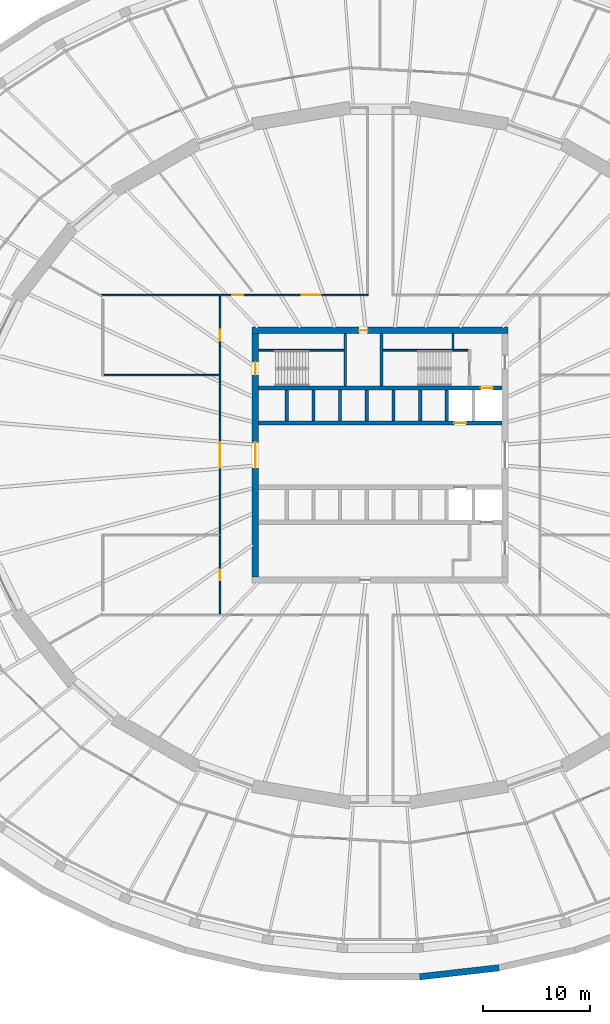
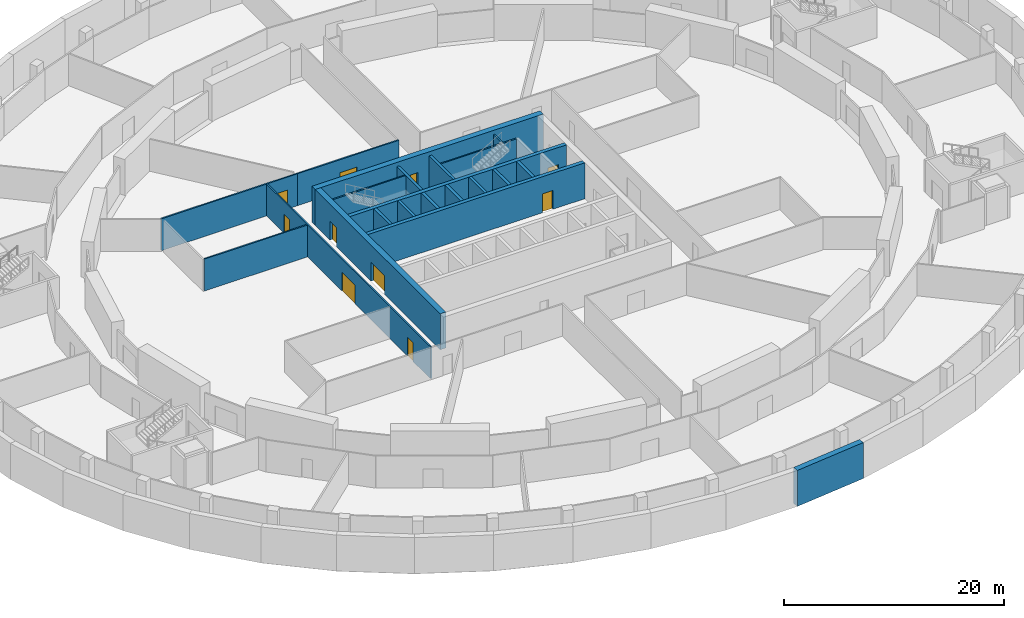
# One storey, part 7 of 14: 21 walls, 10 doors, 10 openings.
"""IFC4 building model written with IfcOpenShell, lengths in metres."""

from ifc_helpers import new_model, si_unit, direction, frame, frame_2d, origin, place, context, subcontext, project, spatial, rectangle, extrude, material, layer, layer_set, type_object, element, fill, save


model = new_model("IFC4")

# Units and contexts
model_context = context("Model", 3, precision=1e-05, world=origin(), true_north=direction((0.0, 1.0)))
body_context = subcontext(model_context, "Body", "Model", "MODEL_VIEW")
ifc_project = project(units=[si_unit("LENGTHUNIT", "METRE"), si_unit("AREAUNIT", "SQUARE_METRE"), si_unit("VOLUMEUNIT", "CUBIC_METRE"), si_unit("PLANEANGLEUNIT", "RADIAN"), si_unit("MASSUNIT", "GRAM", prefix="KILO")], contexts=[model_context])

# Site, building, storey
site_placement = place(None, origin())
site = spatial("IfcSite", under=ifc_project, at=site_placement, CompositionType="ELEMENT")
building_placement = place(site_placement, origin())
building = spatial("IfcBuilding", under=site, at=building_placement, Name="Halqa Exchange Tower", CompositionType="ELEMENT")
storey_placement = place(building_placement, frame((0.0, 0.0, -4.0)))
storey = spatial("IfcBuildingStorey", under=building, at=storey_placement, Name="B1", CompositionType="ELEMENT", Elevation=-4.0)

# Wall, opening, door
ifc_material_1 = material(Name="Fire-rated gypsum board")
ifc_layer_1 = layer(ifc_material_1, 0.14990234375)
ifc_layer_set_1 = layer_set([ifc_layer_1], Name="Fire-rated gypsum board")
wall_type_1 = type_object("IfcWallType", Name="Fire partition EI 60 150", PredefinedType="PARTITIONING", material=ifc_layer_set_1)
wall_1_placement = place(storey_placement, frame((-26.1298828125, 15.0, 0.0), z_axis=(0.0, 0.0, 1.0), x_axis=(1.0, 0.0, 0.0)))
wall_1 = element("IfcWall", 1, at=wall_1_placement, inside=storey, type_object=wall_type_1, Name="B1-PWL-044", PredefinedType="PARTITIONING", context=body_context, shape_type="SweptSolid", body=[
    extrude(rectangle(XDim=14.31982421875, YDim=0.14990234375, at=frame_2d((7.159912109375, 0.0))), origin(), (0.0, 0.0, 1.0), 3.550048828125),
])
opening_1_placement = place(wall_1_placement, frame((12.280029296875, 0.0, 0.0)))
opening_1 = element("IfcOpeningElement", 2, at=opening_1_placement, cuts=wall_1, Name="Opening B1-11", PredefinedType="OPENING", context=body_context, shape_type="SweptSolid", body=[
    extrude(rectangle(XDim=1.0, YDim=2.10009765625, at=frame_2d((0.5, 1.050048828125))), frame((0.0, 0.0869140625, 0.0), z_axis=(0.0, -1.0, 0.0), x_axis=(1.0, 0.0, 0.0)), (0.0, 0.0, 1.0), 0.173828125),
])
ifc_material_2 = material(Name="Steel fire door leaf", Category="steel")
door_type_1 = type_object("IfcDoorType", Name="Fire door FD30S 1000 x 2100", OperationType="SINGLE_SWING_LEFT", PredefinedType="DOOR", material=ifc_material_2)
door_1_placement = place(opening_1_placement, frame((1.0, 0.0, 0.0), z_axis=(0.0, 0.0, 1.0), x_axis=(-1.0, 0.0, 0.0)))
door_1 = element("IfcDoor", 3, at=door_1_placement, inside=storey, type_object=door_type_1, Name="B1-IDR-011", OperationType="SINGLE_SWING_LEFT", OverallHeight=2.10009765625, OverallWidth=1.0, PredefinedType="DOOR", context=body_context, shape_type="SweptSolid", body=[
    extrude(rectangle(XDim=1.0, YDim=2.10009765625, at=frame_2d((0.5, 1.050048828125))), frame((0.0, 0.02490234375, 0.0), z_axis=(0.0, -1.0, 0.0), x_axis=(1.0, 0.0, 0.0)), (0.0, 0.0, 1.0), 0.050048828125),
])
fill(opening_1, door_1)

# Wall, openings, doors
wall_2_placement = place(storey_placement, frame((-15.0, -14.925048828125, 0.0), z_axis=(0.0, 0.0, 1.0), x_axis=(0.0, 1.0, 0.0)))
wall_2 = element("IfcWall", 4, at=wall_2_placement, inside=storey, type_object=wall_type_1, Name="B1-PWL-058", PredefinedType="PARTITIONING", context=body_context, shape_type="SweptSolid", body=[
    extrude(rectangle(XDim=29.85009765625, YDim=0.14990234375, at=frame_2d((14.925048828125, 0.0))), origin(), (0.0, 0.0, 1.0), 3.550048828125),
])
opening_2_placement = place(wall_2_placement, frame((25.659912109375, 0.0, 0.0)))
opening_2 = element("IfcOpeningElement", 5, at=opening_2_placement, cuts=wall_2, Name="Opening B1-03", PredefinedType="OPENING", context=body_context, shape_type="SweptSolid", body=[
    extrude(rectangle(XDim=1.0, YDim=2.10009765625, at=frame_2d((0.5, 1.050048828125))), frame((0.0, 0.0869140625, 0.0), z_axis=(0.0, -1.0, 0.0), x_axis=(1.0, 0.0, 0.0)), (0.0, 0.0, 1.0), 0.173828125),
])
opening_3_placement = place(wall_2_placement, frame((3.18994140625, 0.0, 0.0)))
opening_3 = element("IfcOpeningElement", 6, at=opening_3_placement, cuts=wall_2, Name="Opening B1-04", PredefinedType="OPENING", context=body_context, shape_type="SweptSolid", body=[
    extrude(rectangle(XDim=1.0, YDim=2.10009765625, at=frame_2d((0.5, 1.050048828125))), frame((0.0, 0.0869140625, 0.0), z_axis=(0.0, -1.0, 0.0), x_axis=(1.0, 0.0, 0.0)), (0.0, 0.0, 1.0), 0.173828125),
])
opening_4_placement = place(wall_2_placement, frame((13.72509765625, 0.0, 0.0)))
opening_4 = element("IfcOpeningElement", 7, at=opening_4_placement, cuts=wall_2, Name="Opening B1-12", PredefinedType="OPENING", context=body_context, shape_type="SweptSolid", body=[
    extrude(rectangle(XDim=2.39990234375, YDim=2.10009765625, at=frame_2d((1.199951171875, 1.050048828125))), frame((0.0, 0.0869140625, 0.0), z_axis=(0.0, -1.0, 0.0), x_axis=(1.0, 0.0, 0.0)), (0.0, 0.0, 1.0), 0.173828125),
])
door_2_placement = place(opening_2_placement, frame((1.0, 0.0, 0.0), z_axis=(0.0, 0.0, 1.0), x_axis=(-1.0, 0.0, 0.0)))
door_2 = element("IfcDoor", 8, at=door_2_placement, inside=storey, type_object=door_type_1, Name="B1-IDR-003", OperationType="SINGLE_SWING_RIGHT", OverallHeight=2.10009765625, OverallWidth=1.0, PredefinedType="DOOR", context=body_context, shape_type="SweptSolid", body=[
    extrude(rectangle(XDim=1.0, YDim=2.10009765625, at=frame_2d((0.5, 1.050048828125))), frame((0.0, 0.02490234375, 0.0), z_axis=(0.0, -1.0, 0.0), x_axis=(1.0, 0.0, 0.0)), (0.0, 0.0, 1.0), 0.050048828125),
])
fill(opening_2, door_2)
door_3_placement = place(opening_3_placement, frame((1.0, 0.0, 0.0), z_axis=(0.0, 0.0, 1.0), x_axis=(-1.0, 0.0, 0.0)))
door_3 = element("IfcDoor", 9, at=door_3_placement, inside=storey, type_object=door_type_1, Name="B1-IDR-004", OperationType="SINGLE_SWING_LEFT", OverallHeight=2.10009765625, OverallWidth=1.0, PredefinedType="DOOR", context=body_context, shape_type="SweptSolid", body=[
    extrude(rectangle(XDim=1.0, YDim=2.10009765625, at=frame_2d((0.5, 1.050048828125))), frame((0.0, 0.02490234375, 0.0), z_axis=(0.0, -1.0, 0.0), x_axis=(1.0, 0.0, 0.0)), (0.0, 0.0, 1.0), 0.050048828125),
])
fill(opening_3, door_3)
door_type_2 = type_object("IfcDoorType", Name="Fire door FD60S double 2400 x 2100", OperationType="DOUBLE_DOOR_SINGLE_SWING", PredefinedType="DOOR", material=ifc_material_2)
door_4_placement = place(opening_4_placement, frame((2.39990234375, 0.0, 0.0), z_axis=(0.0, 0.0, 1.0), x_axis=(-1.0, 0.0, 0.0)))
door_4 = element("IfcDoor", 10, at=door_4_placement, inside=storey, type_object=door_type_2, Name="B1-IDR-012", OperationType="DOUBLE_DOOR_SINGLE_SWING", OverallHeight=2.10009765625, OverallWidth=2.39990234375, PredefinedType="DOOR", context=body_context, shape_type="SweptSolid", body=[
    extrude(rectangle(XDim=2.39990234375, YDim=2.10009765625, at=frame_2d((1.199951171875, 1.050048828125))), frame((0.0, 0.02490234375, 0.0), z_axis=(0.0, -1.0, 0.0), x_axis=(1.0, 0.0, 0.0)), (0.0, 0.0, 1.0), 0.050048828125),
])
fill(opening_4, door_4)

# Wall
wall_3_placement = place(storey_placement, frame((-15.074951171875, 7.5, 0.0), z_axis=(0.0, 0.0, 1.0), x_axis=(-1.0, 0.0, 0.0)))
element("IfcWall", 11, at=wall_3_placement, inside=storey, type_object=wall_type_1, Name="B1-PWL-059", PredefinedType="PARTITIONING", context=body_context, shape_type="SweptSolid", body=[
    extrude(rectangle(XDim=10.85107421875, YDim=0.14990234375, at=frame_2d((5.425537109375, 0.0))), origin(), (0.0, 0.0, 1.0), 3.550048828125),
])

# Wall, opening, door
wall_4_placement = place(storey_placement, frame((-11.810546875, 15.0, 0.0), z_axis=(0.0, 0.0, 1.0), x_axis=(1.0, 0.0, 0.0)))
wall_4 = element("IfcWall", 12, at=wall_4_placement, inside=storey, type_object=wall_type_1, Name="B1-PWL-062", PredefinedType="PARTITIONING", context=body_context, shape_type="SweptSolid", body=[
    extrude(rectangle(XDim=10.685546875, YDim=0.14990234375, at=frame_2d((5.3427734375, 0.0))), origin(), (0.0, 0.0, 1.0), 3.550048828125),
])
opening_5_placement = place(wall_4_placement, frame((4.44140625, 0.0, 0.0)))
opening_5 = element("IfcOpeningElement", 13, at=opening_5_placement, cuts=wall_4, Name="Opening B1-10", PredefinedType="OPENING", context=body_context, shape_type="SweptSolid", body=[
    extrude(rectangle(XDim=1.800048828125, YDim=2.10009765625, at=frame_2d((0.89990234375, 1.050048828125))), frame((0.0, 0.0869140625, 0.0), z_axis=(0.0, -1.0, 0.0), x_axis=(1.0, 0.0, 0.0)), (0.0, 0.0, 1.0), 0.173828125),
])
door_type_3 = type_object("IfcDoorType", Name="Fire door FD30S double 1800 x 2100", OperationType="DOUBLE_DOOR_SINGLE_SWING", PredefinedType="DOOR", material=ifc_material_2)
door_5_placement = place(opening_5_placement, frame((1.800048828125, 0.0, 0.0), z_axis=(0.0, 0.0, 1.0), x_axis=(-1.0, 0.0, 0.0)))
door_5 = element("IfcDoor", 14, at=door_5_placement, inside=storey, type_object=door_type_3, Name="B1-IDR-010", OperationType="DOUBLE_DOOR_SINGLE_SWING", OverallHeight=2.10009765625, OverallWidth=1.800048828125, PredefinedType="DOOR", context=body_context, shape_type="SweptSolid", body=[
    extrude(rectangle(XDim=1.800048828125, YDim=2.10009765625, at=frame_2d((0.89990234375, 1.050048828125))), frame((0.0, 0.02490234375, 0.0), z_axis=(0.0, -1.0, 0.0), x_axis=(1.0, 0.0, 0.0)), (0.0, 0.0, 1.0), 0.050048828125),
])
fill(opening_5, door_5)

# Walls
ifc_material_3 = material(Name="Gypsum board")
ifc_layer_2 = layer(ifc_material_3, 0.14990234375)
ifc_layer_set_2 = layer_set([ifc_layer_2], Name="Gypsum board")
wall_type_2 = type_object("IfcWallType", Name="Penthouse riser wall 150 gypsum", PredefinedType="PARTITIONING", material=ifc_layer_set_2)
wall_5_placement = place(storey_placement, frame((6.824951171875, 9.89990234375, 0.0), z_axis=(0.0, 0.0, 1.0), x_axis=(0.0, 1.0, 0.0)))
element("IfcWall", 15, at=wall_5_placement, inside=storey, type_object=wall_type_2, Name="Firefighting lobby west wall N", PredefinedType="PARTITIONING", context=body_context, shape_type="SweptSolid", body=[
    extrude(rectangle(XDim=1.5, YDim=0.14990234375, at=frame_2d((0.75, 0.0))), origin(), (0.0, 0.0, 1.0), 3.550048828125),
])
ifc_material_4 = material(Name="Concrete C40/50", Category="concrete")
ifc_layer_3 = layer(ifc_material_4, 0.60009765625)
ifc_layer_set_3 = layer_set([ifc_layer_3], Name="Concrete C40/50")
wall_type_3 = type_object("IfcWallType", Name="RC basement wall 600", PredefinedType="SOLIDWALL", material=ifc_layer_set_3)
wall_6_placement = place(storey_placement, frame((3.711181640625, -48.89697265625, 0.0), z_axis=(0.0, 0.0, 1.0), x_axis=(0.993658203282, 0.112442763445, 0.0)))
element("IfcWall", 16, at=wall_6_placement, inside=storey, type_object=wall_type_3, Name="Basement retaining wall", PredefinedType="SOLIDWALL", context=body_context, shape_type="SweptSolid", body=[
    extrude(rectangle(XDim=7.473388671875, YDim=0.60009765625, at=frame_2d((3.73681640625, 0.0))), origin(), (0.0, 0.0, 1.0), 4.0),
])
ifc_material_5 = material(Name="Concrete C60/75", Category="concrete")
ifc_layer_4 = layer(ifc_material_5, 0.300048828125)
ifc_layer_set_4 = layer_set([ifc_layer_4], Name="Concrete C60/75")
wall_type_4 = type_object("IfcWallType", Name="RC core wall 300", PredefinedType="SHEAR", material=ifc_layer_set_4)
for number, where, z_axis, x_axis, name in (
    (17, (-8.75, 3.199951171875, 0.0), (0.0, 0.0, 1.0), (0.0, 1.0, 0.0), "Shaft divider N1"),
    (18, (-6.25, 3.199951171875, 0.0), (0.0, 0.0, 1.0), (0.0, 1.0, 0.0), "Shaft divider N2"),
    (19, (-3.75, 3.199951171875, 0.0), (0.0, 0.0, 1.0), (0.0, 1.0, 0.0), "Shaft divider N3"),
    (20, (-1.25, 3.199951171875, 0.0), (0.0, 0.0, 1.0), (0.0, 1.0, 0.0), "Shaft divider N4"),
    (21, (1.25, 3.199951171875, 0.0), (0.0, 0.0, 1.0), (0.0, 1.0, 0.0), "Shaft divider N5"),
    (22, (3.75, 3.199951171875, 0.0), (0.0, 0.0, 1.0), (0.0, 1.0, 0.0), "Shaft divider N6"),
    (23, (6.25, 3.199951171875, 0.0), (0.0, 0.0, 1.0), (0.0, 1.0, 0.0), "Shaft divider N7"),
):
    element("IfcWall", number, at=place(storey_placement, frame(where, z_axis=z_axis, x_axis=x_axis)), inside=storey, type_object=wall_type_4, Name=name, PredefinedType="SHEAR", context=body_context, shape_type="SweptSolid", body=[
        extrude(rectangle(XDim=2.900146484375, YDim=0.300048828125, at=frame_2d((1.4501953125, 0.0))), origin(), (0.0, 0.0, 1.0), 4.0),
    ])

# Wall, opening, door
ifc_material_6 = material(Name="Concrete C80/95", Category="concrete")
ifc_layer_5 = layer(ifc_material_6, 0.39990234375)
ifc_layer_set_5 = layer_set([ifc_layer_5], Name="Concrete C80/95")
wall_type_5 = type_object("IfcWallType", Name="RC core wall 400 C80/95", PredefinedType="SHEAR", material=ifc_layer_set_5)
wall_7_placement = place(storey_placement, frame((-11.39990234375, 3.0, 0.0), z_axis=(0.0, 0.0, 1.0), x_axis=(1.0, 0.0, 0.0)))
wall_7 = element("IfcWall", 24, at=wall_7_placement, inside=storey, type_object=wall_type_5, Name="Lift row front wall N", PredefinedType="SHEAR", context=body_context, shape_type="SweptSolid", body=[
    extrude(rectangle(XDim=22.7998046875, YDim=0.39990234375, at=frame_2d((11.39990234375, 0.0))), origin(), (0.0, 0.0, 1.0), 4.0),
])
opening_6_placement = place(wall_7_placement, frame((18.35009765625, 0.0, 0.0)))
opening_6 = element("IfcOpeningElement", 25, at=opening_6_placement, cuts=wall_7, Name="Opening LD-SV1-B1", PredefinedType="OPENING", context=body_context, shape_type="SweptSolid", body=[
    extrude(rectangle(XDim=1.10009765625, YDim=2.10009765625, at=frame_2d((0.550048828125, 1.050048828125))), frame((0.0, 0.2119140625, 0.0), z_axis=(0.0, -1.0, 0.0), x_axis=(1.0, 0.0, 0.0)), (0.0, 0.0, 1.0), 0.423828125),
])
ifc_material_7 = material(Name="Stainless steel", Category="steel")
door_type_4 = type_object("IfcDoorType", Name="Lift landing door 1100 x 2100", OperationType="SLIDING_TO_LEFT", PredefinedType="DOOR", material=ifc_material_7)
door_6_placement = place(opening_6_placement, origin())
door_6 = element("IfcDoor", 26, at=door_6_placement, inside=storey, type_object=door_type_4, Name="Lift landing door SV1", OperationType="SLIDING_TO_LEFT", OverallHeight=2.10009765625, OverallWidth=1.10009765625, PredefinedType="DOOR", context=body_context, shape_type="SweptSolid", body=[
    extrude(rectangle(XDim=1.10009765625, YDim=2.10009765625, at=frame_2d((0.550048828125, 1.050048828125))), frame((0.0, 0.02490234375, 0.0), z_axis=(0.0, -1.0, 0.0), x_axis=(1.0, 0.0, 0.0)), (0.0, 0.0, 1.0), 0.050048828125),
])
fill(opening_6, door_6)

wall_8_placement = place(storey_placement, frame((-11.39990234375, 6.300048828125, 0.0), z_axis=(0.0, 0.0, 1.0), x_axis=(1.0, 0.0, 0.0)))
wall_8 = element("IfcWall", 27, at=wall_8_placement, inside=storey, type_object=wall_type_5, Name="Lift row back wall N", PredefinedType="SHEAR", context=body_context, shape_type="SweptSolid", body=[
    extrude(rectangle(XDim=22.7998046875, YDim=0.39990234375, at=frame_2d((11.39990234375, 0.0))), origin(), (0.0, 0.0, 1.0), 4.0),
])
opening_7_placement = place(wall_8_placement, frame((20.85009765625, 0.0, 0.0)))
opening_7 = element("IfcOpeningElement", 28, at=opening_7_placement, cuts=wall_8, Name="Opening LD-FF1-B1", PredefinedType="OPENING", context=body_context, shape_type="SweptSolid", body=[
    extrude(rectangle(XDim=1.10009765625, YDim=2.10009765625, at=frame_2d((0.550048828125, 1.050048828125))), frame((0.0, 0.2119140625, 0.0), z_axis=(0.0, -1.0, 0.0), x_axis=(1.0, 0.0, 0.0)), (0.0, 0.0, 1.0), 0.423828125),
])
door_7_placement = place(opening_7_placement, origin())
door_7 = element("IfcDoor", 29, at=door_7_placement, inside=storey, type_object=door_type_4, Name="Lift landing door FF1", OperationType="SLIDING_TO_LEFT", OverallHeight=2.10009765625, OverallWidth=1.10009765625, PredefinedType="DOOR", context=body_context, shape_type="SweptSolid", body=[
    extrude(rectangle(XDim=1.10009765625, YDim=2.10009765625, at=frame_2d((0.550048828125, 1.050048828125))), frame((0.0, 0.02490234375, 0.0), z_axis=(0.0, -1.0, 0.0), x_axis=(1.0, 0.0, 0.0)), (0.0, 0.0, 1.0), 0.050048828125),
])
fill(opening_7, door_7)

ifc_layer_6 = layer(ifc_material_6, 0.60009765625)
ifc_layer_set_6 = layer_set([ifc_layer_6], Name="Concrete C80/95")
wall_type_6 = type_object("IfcWallType", Name="RC core wall 600 C80/95", PredefinedType="SHEAR", material=ifc_layer_set_6)
wall_9_placement = place(storey_placement, frame((-12.0, 11.699951171875, 0.0), z_axis=(0.0, 0.0, 1.0), x_axis=(1.0, 0.0, 0.0)))
wall_9 = element("IfcWall", 30, at=wall_9_placement, inside=storey, type_object=wall_type_6, Name="Core wall north", PredefinedType="SHEAR", context=body_context, shape_type="SweptSolid", body=[
    extrude(rectangle(XDim=24.0, YDim=0.60009765625, at=frame_2d((12.0, 0.0))), origin(), (0.0, 0.0, 1.0), 4.0),
])
opening_8_placement = place(wall_9_placement, frame((10.02490234375, 0.0, 0.0)))
opening_8 = element("IfcOpeningElement", 31, at=opening_8_placement, cuts=wall_9, Name="Opening B1-C19", PredefinedType="OPENING", context=body_context, shape_type="SweptSolid", body=[
    extrude(rectangle(XDim=0.800048828125, YDim=2.10009765625, at=frame_2d((0.39990234375, 1.050048828125))), frame((0.0, 0.31201171875, 0.0), z_axis=(0.0, -1.0, 0.0), x_axis=(1.0, 0.0, 0.0)), (0.0, 0.0, 1.0), 0.6240234375),
])
door_type_5 = type_object("IfcDoorType", Name="Riser door FD60 800 x 2100", OperationType="SINGLE_SWING_LEFT", PredefinedType="DOOR", material=ifc_material_2)
door_8_placement = place(opening_8_placement, frame((0.800048828125, 0.0, 0.0), z_axis=(0.0, 0.0, 1.0), x_axis=(-1.0, 0.0, 0.0)))
door_8 = element("IfcDoor", 32, at=door_8_placement, inside=storey, type_object=door_type_5, Name="Core room door", OperationType="SINGLE_SWING_LEFT", OverallHeight=2.10009765625, OverallWidth=0.800048828125, PredefinedType="DOOR", context=body_context, shape_type="SweptSolid", body=[
    extrude(rectangle(XDim=0.800048828125, YDim=2.10009765625, at=frame_2d((0.39990234375, 1.050048828125))), frame((0.0, 0.02490234375, 0.0), z_axis=(0.0, -1.0, 0.0), x_axis=(1.0, 0.0, 0.0)), (0.0, 0.0, 1.0), 0.050048828125),
])
fill(opening_8, door_8)

# Wall, openings, doors
wall_10_placement = place(storey_placement, frame((-11.699951171875, -11.39990234375, 0.0), z_axis=(0.0, 0.0, 1.0), x_axis=(0.0, 1.0, 0.0)))
wall_10 = element("IfcWall", 33, at=wall_10_placement, inside=storey, type_object=wall_type_6, Name="Core wall west", PredefinedType="SHEAR", context=body_context, shape_type="SweptSolid", body=[
    extrude(rectangle(XDim=22.7998046875, YDim=0.60009765625, at=frame_2d((11.39990234375, 0.0))), origin(), (0.0, 0.0, 1.0), 4.0),
])
opening_9_placement = place(wall_10_placement, frame((10.199951171875, 0.0, 0.0)))
opening_9 = element("IfcOpeningElement", 34, at=opening_9_placement, cuts=wall_10, Name="Opening B1-C05", PredefinedType="OPENING", context=body_context, shape_type="SweptSolid", body=[
    extrude(rectangle(XDim=2.39990234375, YDim=2.10009765625, at=frame_2d((1.199951171875, 1.050048828125))), frame((0.0, 0.31201171875, 0.0), z_axis=(0.0, -1.0, 0.0), x_axis=(1.0, 0.0, 0.0)), (0.0, 0.0, 1.0), 0.6240234375),
])
opening_10_placement = place(wall_10_placement, frame((18.925048828125, 0.0, 0.0)))
opening_10 = element("IfcOpeningElement", 35, at=opening_10_placement, cuts=wall_10, Name="Opening B1-C15", PredefinedType="OPENING", context=body_context, shape_type="SweptSolid", body=[
    extrude(rectangle(XDim=1.199951171875, YDim=2.10009765625, at=frame_2d((0.60009765625, 1.050048828125))), frame((0.0, 0.31201171875, 0.0), z_axis=(0.0, -1.0, 0.0), x_axis=(1.0, 0.0, 0.0)), (0.0, 0.0, 1.0), 0.6240234375),
])
door_type_6 = type_object("IfcDoorType", Name="Lobby double door FD60 2400 x 2100", OperationType="DOUBLE_DOOR_SINGLE_SWING", PredefinedType="DOOR", material=ifc_material_2)
door_9_placement = place(opening_9_placement, origin())
door_9 = element("IfcDoor", 36, at=door_9_placement, inside=storey, type_object=door_type_6, Name="Lift lobby double door", OperationType="DOUBLE_DOOR_SINGLE_SWING", OverallHeight=2.10009765625, OverallWidth=2.39990234375, PredefinedType="DOOR", context=body_context, shape_type="SweptSolid", body=[
    extrude(rectangle(XDim=2.39990234375, YDim=2.10009765625, at=frame_2d((1.199951171875, 1.050048828125))), frame((0.0, 0.02490234375, 0.0), z_axis=(0.0, -1.0, 0.0), x_axis=(1.0, 0.0, 0.0)), (0.0, 0.0, 1.0), 0.050048828125),
])
fill(opening_9, door_9)
door_type_7 = type_object("IfcDoorType", Name="Stair door FD90 1200 x 2100", OperationType="SINGLE_SWING_LEFT", PredefinedType="DOOR", material=ifc_material_2)
door_10_placement = place(opening_10_placement, frame((1.199951171875, 0.0, 0.0), z_axis=(0.0, 0.0, 1.0), x_axis=(-1.0, 0.0, 0.0)))
door_10 = element("IfcDoor", 37, at=door_10_placement, inside=storey, type_object=door_type_7, Name="Stair door ST1", OperationType="SINGLE_SWING_RIGHT", OverallHeight=2.10009765625, OverallWidth=1.199951171875, PredefinedType="DOOR", context=body_context, shape_type="SweptSolid", body=[
    extrude(rectangle(XDim=1.199951171875, YDim=2.10009765625, at=frame_2d((0.60009765625, 1.050048828125))), frame((0.0, 0.02490234375, 0.0), z_axis=(0.0, -1.0, 0.0), x_axis=(1.0, 0.0, 0.0)), (0.0, 0.0, 1.0), 0.050048828125),
])
fill(opening_10, door_10)

# Walls
ifc_material_8 = material(Name="Concrete C30/37", Category="concrete")
ifc_layer_7 = layer(ifc_material_8, 0.14990234375)
ifc_layer_set_7 = layer_set([ifc_layer_7], Name="Concrete C30/37")
wall_type_7 = type_object("IfcWallType", Name="RC stair wall 150 C30/37", PredefinedType="SHEAR", material=ifc_layer_set_7)
for number, where, z_axis, x_axis, name in (
    (38, (-11.39990234375, 9.824951171875, 0.0), (0.0, 0.0, 1.0), (1.0, 0.0, 0.0), "Stair ST1 north wall N"),
    (39, (0.25, 9.824951171875, 0.0), (0.0, 0.0, 1.0), (1.0, 0.0, 0.0), "Stair ST2 north wall N"),
):
    element("IfcWall", number, at=place(storey_placement, frame(where, z_axis=z_axis, x_axis=x_axis)), inside=storey, type_object=wall_type_7, Name=name, PredefinedType="SHEAR", context=body_context, shape_type="SweptSolid", body=[
        extrude(rectangle(XDim=8.0, YDim=0.14990234375, at=frame_2d((4.0, 0.0))), origin(), (0.0, 0.0, 1.0), 3.550048828125),
    ])
ifc_layer_8 = layer(ifc_material_8, 0.25)
ifc_layer_set_8 = layer_set([ifc_layer_8], Name="Concrete C30/37")
wall_type_8 = type_object("IfcWallType", Name="RC stair wall 250 C30/37", PredefinedType="SHEAR", material=ifc_layer_set_8)
for number, where, z_axis, x_axis, name in (
    (40, (-3.27490234375, 6.5, 0.0), (0.0, 0.0, 1.0), (0.0, 1.0, 0.0), "Stair ST1 east wall N"),
    (41, (0.125, 6.5, 0.0), (0.0, 0.0, 1.0), (0.0, 1.0, 0.0), "Stair ST2 west wall N"),
):
    element("IfcWall", number, at=place(storey_placement, frame(where, z_axis=z_axis, x_axis=x_axis)), inside=storey, type_object=wall_type_8, Name=name, PredefinedType="SHEAR", context=body_context, shape_type="SweptSolid", body=[
        extrude(rectangle(XDim=4.89990234375, YDim=0.25, at=frame_2d((2.449951171875, 0.0))), origin(), (0.0, 0.0, 1.0), 3.550048828125),
    ])

save(model, "model.ifc")
